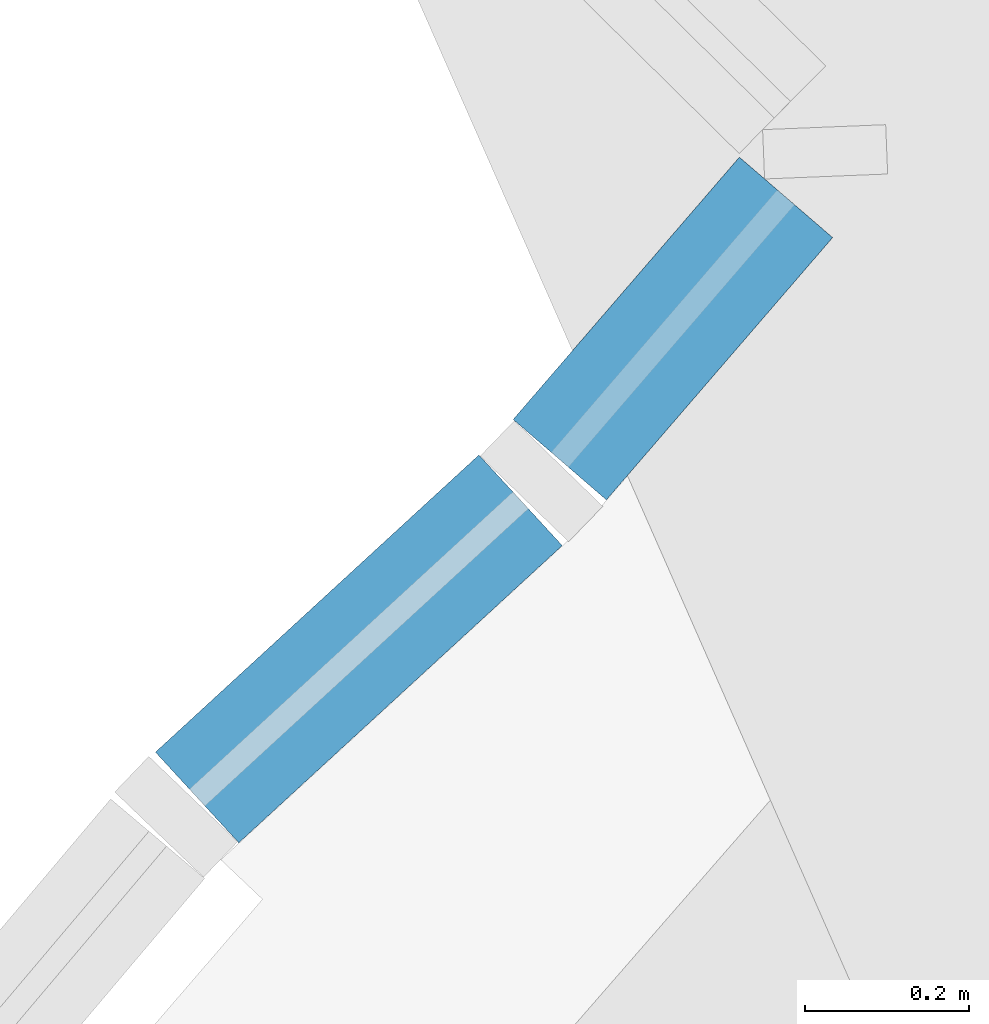
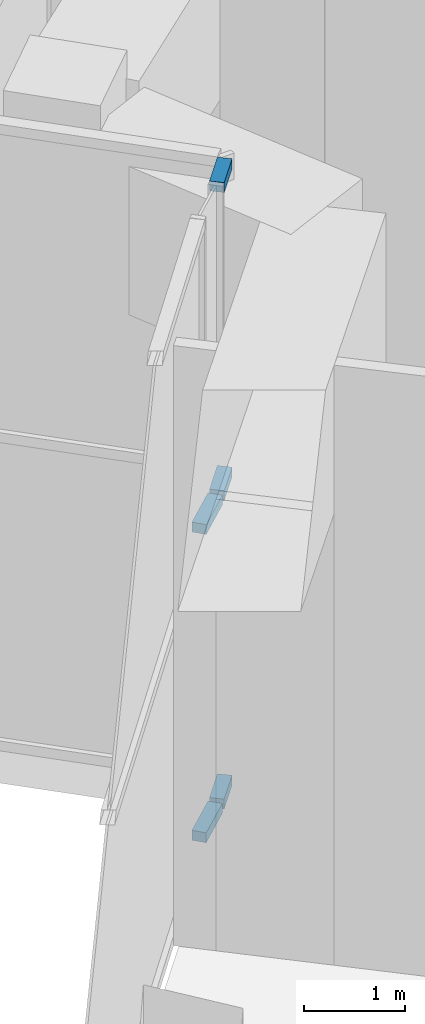
# One storey, part 14 of 32: 5 members, 2 elements without a shape of their own.
"""IFC4 building model written with IfcOpenShell, lengths in metres."""

import ifcopenshell
import ifcopenshell.guid

model = None  # the IFC model being written
_history = None  # IfcOwnerHistory: only IFC2X3 demands one
_inside = {}  # id of a spatial element -> (the spatial element, [elements in it])
_under = {}  # id of a project, library or spatial element -> (it, [spatial elements below it])
_declared = {}  # id of a project -> (the project, [libraries it declares])
_typed = {}  # id of a type object -> (the type object, [elements of that type])
_made_of = {}  # id of a material, layer set ... -> (it, [elements and type objects made of it])


def new_model(schema):
    """Start an empty IFC model of exactly this schema.

    Asked for "IFC4X3", IfcOpenShell would pick the latest addendum, in which some entities
    have other attributes; the version numbers below select the first issue.
    IFC2X3 requires an IfcOwnerHistory on every rooted entity: one is made here for all.
    """
    global model, _history
    if schema == "IFC4X3":
        model = ifcopenshell.file(schema_version=(4, 3, 0, 0))
    else:
        model = ifcopenshell.file(schema=schema)
    _inside.clear()
    _under.clear()
    _declared.clear()
    _typed.clear()
    _made_of.clear()
    _history = None
    if model.schema == "IFC2X3":
        org = make("IfcOrganization", Name="unknown")
        user = make(
            "IfcPersonAndOrganization",
            ThePerson=make("IfcPerson", FamilyName="unknown"),
            TheOrganization=org,
        )
        app = make(
            "IfcApplication",
            ApplicationDeveloper=org,
            Version="unknown",
            ApplicationFullName="unknown",
            ApplicationIdentifier="unknown",
        )
        _history = make(
            "IfcOwnerHistory",
            OwningUser=user,
            OwningApplication=app,
            ChangeAction="ADDED",
            CreationDate=0,
        )
    return model


def make(cls, **values):
    """One entity of the class cls with the attributes given. An attribute that is None is left unset."""
    return model.create_entity(
        cls, **{name: value for name, value in values.items() if value is not None}
    )


def rooted(cls, **values):
    """An entity with a GlobalId (a new one), such as an element, a storey or a relation."""
    return make(cls, GlobalId=ifcopenshell.guid.new(), OwnerHistory=_history, **values)


def si_unit(unit_type, name, prefix=None):
    """IfcSIUnit, for example si_unit("LENGTHUNIT", "METRE", prefix="MILLI")."""
    return make("IfcSIUnit", UnitType=unit_type, Prefix=prefix, Name=name)


def assignment(units):
    """IfcUnitAssignment: the units of a project."""
    return None if units is None else make("IfcUnitAssignment", Units=units)


def point(xyz):
    """IfcCartesianPoint."""
    return None if xyz is None else make("IfcCartesianPoint", Coordinates=xyz)


def direction(xyz):
    """IfcDirection."""
    return None if xyz is None else make("IfcDirection", DirectionRatios=xyz)


def frame(location, z_axis=None, x_axis=None):
    """IfcAxis2Placement3D, a coordinate frame: its origin and axes. An axis left out is left unset."""
    return make(
        "IfcAxis2Placement3D",
        Location=point(location),
        Axis=direction(z_axis),
        RefDirection=direction(x_axis),
    )


def frame_2d(location, x_axis=None):
    """IfcAxis2Placement2D, a coordinate frame in the plane: its origin and x axis."""
    return make(
        "IfcAxis2Placement2D", Location=point(location), RefDirection=direction(x_axis)
    )


def origin():
    """The frame at (0, 0, 0) with its axes left unset."""
    return frame((0.0, 0.0, 0.0))


def origin_2d():
    """The frame at (0, 0) in the plane with its x axis left unset."""
    return frame_2d((0.0, 0.0))


def place(relative_to, where):
    """IfcLocalPlacement: puts the frame where relative to a parent placement (None: the world)."""
    return make(
        "IfcLocalPlacement", PlacementRelTo=relative_to, RelativePlacement=where
    )


def context(
    kind, dimensions, precision=None, world=None, true_north=None, identifier=None
):
    """IfcGeometricRepresentationContext, for example the 3D "Model" context."""
    return make(
        "IfcGeometricRepresentationContext",
        ContextIdentifier=identifier,
        ContextType=kind,
        CoordinateSpaceDimension=dimensions,
        Precision=precision,
        WorldCoordinateSystem=world,
        TrueNorth=true_north,
    )


def subcontext(parent, identifier, kind, view, scale=None):
    """IfcGeometricRepresentationSubContext, for example "Body" below "Model"."""
    return make(
        "IfcGeometricRepresentationSubContext",
        ContextIdentifier=identifier,
        ContextType=kind,
        ParentContext=parent,
        TargetScale=scale,
        TargetView=view,
    )


def project(units=None, contexts=None):
    """IfcProject with its units and contexts."""
    return rooted(
        "IfcProject",
        Name="project",
        RepresentationContexts=contexts,
        UnitsInContext=assignment(units),
    )


def spatial(cls, under=None, at=None, **own):
    """A site, building, storey or space (cls), placed at a placement, below another one or the project."""
    s = rooted(cls, ObjectPlacement=at, **own)
    if under is not None:
        _under.setdefault(under.id(), (under, []))[1].append(s)
    return s


def profile(cls, at=None, kind="AREA", **sizes):
    """A parametric profile (cls). Its sizes go by their IFC names, for example OverallWidth=200.0."""
    return make(cls, ProfileType=kind, Position=at, **sizes)


def rectangle(**sizes):
    """IfcRectangleProfileDef."""
    return profile("IfcRectangleProfileDef", **sizes)


def extrude(swept, where, along, depth):
    """IfcExtrudedAreaSolid: the profile swept, set in the frame where, extruded along a direction by depth."""
    return make(
        "IfcExtrudedAreaSolid",
        SweptArea=swept,
        Position=where,
        ExtrudedDirection=direction(along),
        Depth=depth,
    )


def shape(context_of_items, identifier, shape_type, items):
    """IfcShapeRepresentation: the items that make up one representation, for example the "Body"."""
    return make(
        "IfcShapeRepresentation",
        ContextOfItems=context_of_items,
        RepresentationIdentifier=identifier,
        RepresentationType=shape_type,
        Items=items,
    )


def material(Name=None, Category=None):
    """IfcMaterial."""
    return make("IfcMaterial", Name=Name, Category=Category)


def layer(
    of_material, thickness, ventilated=None, Name=None, Category=None, Priority=None
):
    """IfcMaterialLayer: one layer of a wall or slab, of a material (None: an air gap)."""
    return make(
        "IfcMaterialLayer",
        Material=of_material,
        LayerThickness=thickness,
        IsVentilated=ventilated,
        Name=Name,
        Category=Category,
        Priority=Priority,
    )


def layer_set(layers, Name=None):
    """IfcMaterialLayerSet."""
    return make("IfcMaterialLayerSet", MaterialLayers=layers, LayerSetName=Name)


def material_profile(
    of_material, cross_section, Name=None, Category=None, Priority=None
):
    """IfcMaterialProfile: a cross section and its material."""
    return make(
        "IfcMaterialProfile",
        Name=Name,
        Material=of_material,
        Profile=cross_section,
        Priority=Priority,
        Category=Category,
    )


def profile_set(profiles, Name=None, composite=None):
    """IfcMaterialProfileSet."""
    return make(
        "IfcMaterialProfileSet",
        Name=Name,
        MaterialProfiles=profiles,
        CompositeProfile=composite,
    )


def made_of(thing, what):
    """Note that an element or type object is made of a material, layer set ...; save() writes the relation."""
    if what is not None:
        _made_of.setdefault(what.id(), (what, []))[1].append(thing)
    return thing


def type_object(cls, material=None, **own):
    """A type object (cls), such as IfcWallType, which elements share."""
    return made_of(rooted(cls, **own), material)


def element(
    cls,
    number,
    at=None,
    inside=None,
    cuts=None,
    type_object=None,
    material=None,
    context=None,
    identifier="Body",
    shape_type=None,
    held_by="IfcProductDefinitionShape",
    body=None,
    shapes=None,
    **own,
):
    """One element of the class cls, such as IfcWall. Its Tag is "e" and its number.

    at: its placement. inside: the storey or other place that contains it. cuts: it is an
    opening in that element (IfcRelVoidsElement). A single representation is given by context,
    identifier, shape_type and body (its items); several are given by shapes. held_by: the class
    of the entity that holds the representations. save() writes the other relations.
    """
    e = rooted(cls, Tag="e%d" % number, ObjectPlacement=at, **own)
    if body is not None:
        shapes = [shape(context, identifier, shape_type, body)]
    if shapes is not None:
        e.Representation = make(held_by, Representations=shapes)
    if inside is not None:
        _inside.setdefault(inside.id(), (inside, []))[1].append(e)
    if cuts is not None:
        rooted(
            "IfcRelVoidsElement", RelatingBuildingElement=cuts, RelatedOpeningElement=e
        )
    if type_object is not None:
        _typed.setdefault(type_object.id(), (type_object, []))[1].append(e)
    return made_of(e, material)


def aggregate(whole, parts):
    """IfcRelAggregates: a whole, such as a stair, and the parts it consists of."""
    return rooted("IfcRelAggregates", RelatingObject=whole, RelatedObjects=parts)


def save(model, path):
    """Write the relations noted so far, then the file.

    IfcRelAggregates (storeys below a building ...), IfcRelContainedInSpatialStructure (elements
    in a storey), IfcRelDefinesByType, IfcRelAssociatesMaterial and IfcRelDeclares: one each for
    every whole, place, type object, material and project.
    """
    for whole, parts in _under.values():
        aggregate(whole, parts)
    for where, things in _inside.values():
        rooted(
            "IfcRelContainedInSpatialStructure",
            RelatedElements=things,
            RelatingStructure=where,
        )
    for kind, things in _typed.values():
        rooted("IfcRelDefinesByType", RelatedObjects=things, RelatingType=kind)
    for what, things in _made_of.values():
        rooted("IfcRelAssociatesMaterial", RelatedObjects=things, RelatingMaterial=what)
    for by, libraries in _declared.values():
        rooted("IfcRelDeclares", RelatingContext=by, RelatedDefinitions=libraries)
    model.write(path)


model = new_model("IFC4")

# Units and contexts
model_context = context("Model", 3, precision=1e-05, world=origin(), true_north=direction((0.0, 1.0)))
body_context = subcontext(model_context, "Body", "Model", "MODEL_VIEW")
ifc_project = project(units=[si_unit("LENGTHUNIT", "METRE"), si_unit("AREAUNIT", "SQUARE_METRE"), si_unit("VOLUMEUNIT", "CUBIC_METRE"), si_unit("PLANEANGLEUNIT", "RADIAN"), si_unit("MASSUNIT", "GRAM", prefix="KILO")], contexts=[model_context])

# Site, building, storey
site_placement = place(None, origin())
site = spatial("IfcSite", under=ifc_project, at=site_placement, CompositionType="ELEMENT")
building_placement = place(site_placement, origin())
building = spatial("IfcBuilding", under=site, at=building_placement, Name="Stone Belt Terrace Tower", CompositionType="ELEMENT")
storey_placement = place(building_placement, frame((0.0, 0.0, 193.39990234375)))
storey = spatial("IfcBuildingStorey", under=building, at=storey_placement, Name="L47", CompositionType="ELEMENT", Elevation=193.39990234375)

# Curtain wall, members
ifc_material = material(Name="Aluminium 6063-T6 anodised frame", Category="aluminium")
ifc_layer = layer(ifc_material, 0.14990234375)
ifc_layer_set = layer_set([ifc_layer], Name="CW-C stick curtain wall, horn ends and notches")
curtain_wall_type = type_object("IfcCurtainWallType", Name="CW-C stick curtain wall, horn ends and notches", PredefinedType="NOTDEFINED", material=ifc_layer_set)
curtain_wall_1_placement = place(storey_placement, origin())
curtain_wall_1 = element("IfcCurtainWall", 1, at=curtain_wall_1_placement, inside=storey, type_object=curtain_wall_type, Name="CW-C end face L47", PredefinedType="NOTDEFINED")
ifc_material_profile = material_profile(ifc_material, rectangle(XDim=0.14990234375, YDim=0.1201171875, at=origin_2d()), Name="Aluminium 6063-T6 150x120")
ifc_profile_set = profile_set([ifc_material_profile], Name="Aluminium 6063-T6 anodised frame")
member_type = type_object("IfcMemberType", Name="CW-C transom 120 x 150", PredefinedType="USERDEFINED", material=ifc_profile_set)
member_1_placement = place(storey_placement, frame((-45.343994140625, 44.54736328125, 0.06005859375), z_axis=(-0.653077047348, -0.757291469797, 0.0), x_axis=(0.757291469797, -0.653077047348, 0.0)))
member_1 = element("IfcMember", 2, at=member_1_placement, type_object=member_type, Name="CW-C transom 1.1", ObjectType="TRANSOM", PredefinedType="USERDEFINED", context=body_context, shape_type="SweptSolid", body=[
    extrude(rectangle(XDim=0.14990234375, YDim=0.1201171875, at=origin_2d()), origin(), (0.0, 0.0, 1.0), 0.421630859375),
])
member_2_placement = place(storey_placement, frame((-45.343994140625, 44.54736328125, 3.800048828125), z_axis=(-0.653077047348, -0.757291469797, 0.0), x_axis=(0.757291469797, -0.653077047348, 0.0)))
member_2 = element("IfcMember", 3, at=member_2_placement, type_object=member_type, Name="CW-C transom 1.2", ObjectType="TRANSOM", PredefinedType="USERDEFINED", context=body_context, shape_type="SweptSolid", body=[
    extrude(rectangle(XDim=0.14990234375, YDim=0.1201171875, at=origin_2d()), origin(), (0.0, 0.0, 1.0), 0.421630859375),
])
member_3_placement = place(storey_placement, frame((-45.343994140625, 44.54736328125, 7.5400390625), z_axis=(-0.653077047348, -0.757291469797, 0.0), x_axis=(0.757291469797, -0.653077047348, 0.0)))
member_3 = element("IfcMember", 4, at=member_3_placement, type_object=member_type, Name="CW-C transom 1.3", ObjectType="TRANSOM", PredefinedType="USERDEFINED", context=body_context, shape_type="SweptSolid", body=[
    extrude(rectangle(XDim=0.14990234375, YDim=0.1201171875, at=origin_2d()), origin(), (0.0, 0.0, 1.0), 0.421630859375),
])
aggregate(curtain_wall_1, [member_1, member_2, member_3])

curtain_wall_2_placement = place(storey_placement, origin())
curtain_wall_2 = element("IfcCurtainWall", 5, at=curtain_wall_2_placement, inside=storey, type_object=curtain_wall_type, Name="CW-C end face L47", PredefinedType="NOTDEFINED")
member_4_placement = place(storey_placement, frame((-45.6669921875, 44.1787109375, 0.06005859375), z_axis=(-0.736376697074, -0.676571770033, 0.0), x_axis=(0.676571770033, -0.736376697074, 0.0)))
member_4 = element("IfcMember", 6, at=member_4_placement, type_object=member_type, Name="CW-C transom 1.1", ObjectType="TRANSOM", PredefinedType="USERDEFINED", context=body_context, shape_type="SweptSolid", body=[
    extrude(rectangle(XDim=0.14990234375, YDim=0.1201171875, at=origin_2d()), origin(), (0.0, 0.0, 1.0), 0.53466796875),
])
member_5_placement = place(storey_placement, frame((-45.6669921875, 44.1787109375, 3.800048828125), z_axis=(-0.736376697074, -0.676571770033, 0.0), x_axis=(0.676571770033, -0.736376697074, 0.0)))
member_5 = element("IfcMember", 7, at=member_5_placement, type_object=member_type, Name="CW-C transom 1.2", ObjectType="TRANSOM", PredefinedType="USERDEFINED", context=body_context, shape_type="SweptSolid", body=[
    extrude(rectangle(XDim=0.14990234375, YDim=0.1201171875, at=origin_2d()), origin(), (0.0, 0.0, 1.0), 0.53466796875),
])
aggregate(curtain_wall_2, [member_4, member_5])

save(model, "model.ifc")
